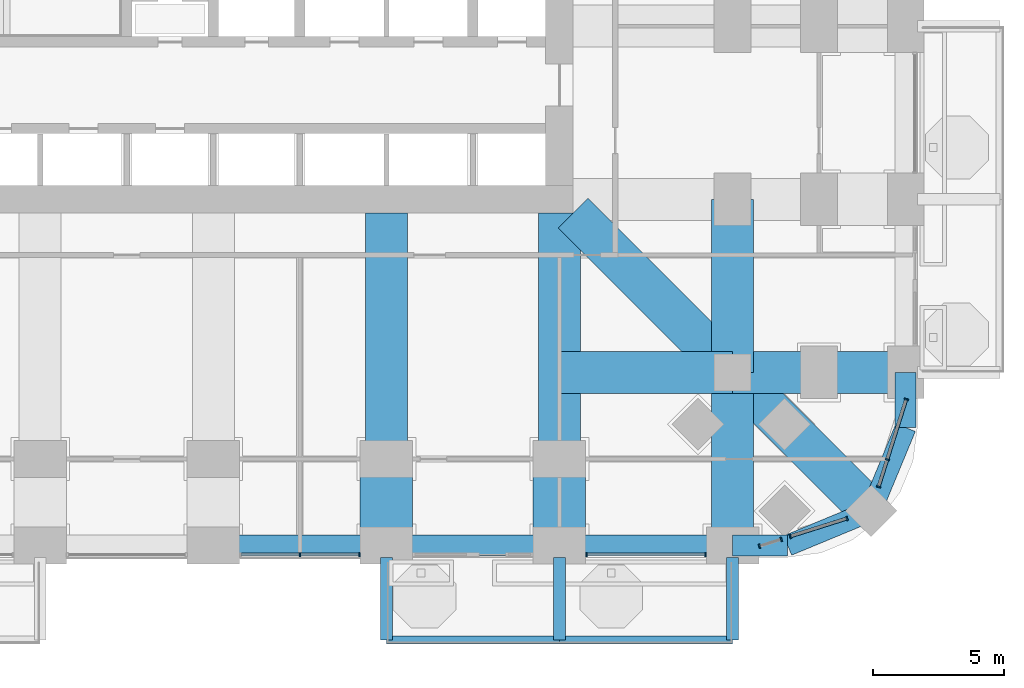
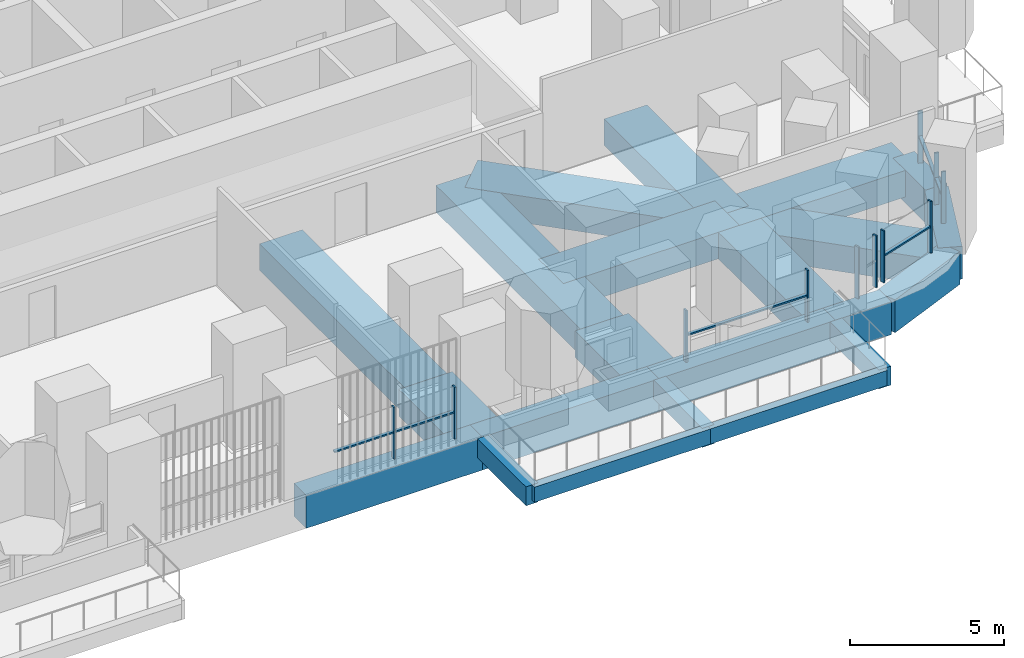
# One storey, part 5 of 27: 22 beams, 17 members, 5 elements without a shape of their own.
"""IFC4 building model written with IfcOpenShell, lengths in metres."""

from ifc_helpers import new_model, si_unit, direction, frame, origin, origin_2d, place, context, subcontext, project, spatial, rectangle, extrude, material, material_profile, profile_set, type_object, element, aggregate, save


model = new_model("IFC4")

# Units and contexts
model_context = context("Model", 3, precision=1e-05, world=origin(), true_north=direction((0.0, 1.0)))
body_context = subcontext(model_context, "Body", "Model", "MODEL_VIEW")
ifc_project = project(units=[si_unit("LENGTHUNIT", "METRE"), si_unit("AREAUNIT", "SQUARE_METRE"), si_unit("VOLUMEUNIT", "CUBIC_METRE"), si_unit("PLANEANGLEUNIT", "RADIAN"), si_unit("MASSUNIT", "GRAM", prefix="KILO")], contexts=[model_context])

# Site, building, storey
site_placement = place(None, origin())
site = spatial("IfcSite", under=ifc_project, at=site_placement, CompositionType="ELEMENT")
building_placement = place(site_placement, origin())
building = spatial("IfcBuilding", under=site, at=building_placement, Name="Cobogo Forest Laboratory Tower", CompositionType="ELEMENT")
storey_placement = place(building_placement, frame((0.0, 0.0, 71.699951171875)))
storey = spatial("IfcBuildingStorey", under=building, at=storey_placement, Name="L16", CompositionType="ELEMENT", Elevation=71.699951171875)

# Beams
ifc_material_1 = material(Name="Concrete HA-40 (C40/50)", Category="concrete")
ifc_material_profile_1 = material_profile(ifc_material_1, rectangle(XDim=0.449951171875, YDim=0.75, at=origin_2d()), Name="RC 450x750")
ifc_profile_set_1 = profile_set([ifc_material_profile_1], Name="Concrete HA-40 (C40/50)")
beam_type_1 = type_object("IfcBeamType", Name="Balcony cantilever beam 450x750", PredefinedType="BEAM", material=ifc_profile_set_1)
for number, where, z_axis, x_axis, name in (
    (1, (33.0, -0.449951171875, -0.625), (0.0, -1.0, 0.0), (1.0, 0.0, 0.0), "CB1 BAL-S2-C1 L16"),
    (2, (39.60009765625, -0.449951171875, -0.625), (0.0, -1.0, 0.0), (1.0, 0.0, 0.0), "CB1 BAL-S2-C2 L16"),
    (3, (46.199951171875, -0.449951171875, -0.625), (0.0, -1.0, 0.0), (1.0, 0.0, 0.0), "CB1 BAL-S2-C3 L16"),
):
    element("IfcBeam", number, at=place(storey_placement, frame(where, z_axis=z_axis, x_axis=x_axis)), inside=storey, type_object=beam_type_1, Name=name, PredefinedType="BEAM", context=body_context, shape_type="SweptSolid", body=[
        extrude(rectangle(XDim=0.449951171875, YDim=0.75, at=origin_2d()), origin(), (0.0, 0.0, 1.0), 3.150146484375),
    ])
ifc_material_profile_2 = material_profile(ifc_material_1, rectangle(XDim=0.300048828125, YDim=0.60009765625, at=origin_2d()), Name="RC 300x600")
ifc_profile_set_2 = profile_set([ifc_material_profile_2], Name="Concrete HA-40 (C40/50)")
beam_type_2 = type_object("IfcBeamType", Name="Balcony edge beam 300x600", PredefinedType="BEAM", material=ifc_profile_set_2)
beam_1_placement = place(storey_placement, frame((33.0, -3.60009765625, -0.550048828125), z_axis=(1.0, 0.0, 0.0), x_axis=(0.0, 1.0, 0.0)))
element("IfcBeam", 4, at=beam_1_placement, inside=storey, type_object=beam_type_2, Name="BB1 BAL-S2-T1 L16", PredefinedType="BEAM", context=body_context, shape_type="SweptSolid", body=[
    extrude(rectangle(XDim=0.300048828125, YDim=0.60009765625, at=origin_2d()), origin(), (0.0, 0.0, 1.0), 6.60009765625),
])
beam_2_placement = place(storey_placement, frame((39.60009765625, -3.60009765625, -0.550048828125), z_axis=(1.0, 0.0, 0.0), x_axis=(0.0, 1.0, 0.0)))
element("IfcBeam", 5, at=beam_2_placement, inside=storey, type_object=beam_type_2, Name="BB1 BAL-S2-T2 L16", PredefinedType="BEAM", context=body_context, shape_type="SweptSolid", body=[
    extrude(rectangle(XDim=0.300048828125, YDim=0.60009765625, at=origin_2d()), origin(), (0.0, 0.0, 1.0), 6.599853515625),
])
ifc_material_2 = material(Name="Concrete HA-50 (C50/60)", Category="concrete")
ifc_material_profile_3 = material_profile(ifc_material_2, rectangle(XDim=2.0, YDim=1.050048828125, at=origin_2d()), Name="RC 2000x1050")
ifc_profile_set_3 = profile_set([ifc_material_profile_3], Name="Concrete HA-50 (C50/60)")
beam_type_3 = type_object("IfcBeamType", Name="End-bay wide beam 2000x1050", PredefinedType="BEAM", material=ifc_profile_set_3)
for number, where, z_axis, x_axis, name in (
    (6, (33.0, 0.0, -0.824951171875), (0.0, 1.0, 0.0), (-1.0, 0.0, 0.0), "RB7 R-6-S-X L16"),
    (7, (39.60009765625, 0.0, -0.824951171875), (0.0, 1.0, 0.0), (-1.0, 0.0, 0.0), "RB7 R-7-S-X L16"),
):
    element("IfcBeam", number, at=place(storey_placement, frame(where, z_axis=z_axis, x_axis=x_axis)), inside=storey, type_object=beam_type_3, Name=name, PredefinedType="BEAM", context=body_context, shape_type="SweptSolid", body=[
        extrude(rectangle(XDim=2.0, YDim=1.050048828125, at=origin_2d()), origin(), (0.0, 0.0, 1.0), 3.300048828125),
    ])
ifc_material_profile_4 = material_profile(ifc_material_2, rectangle(XDim=1.60009765625, YDim=1.050048828125, at=origin_2d()), Name="RC 1600x1050")
ifc_profile_set_4 = profile_set([ifc_material_profile_4], Name="Concrete HA-50 (C50/60)")
beam_type_4 = type_object("IfcBeamType", Name="Laboratory floor wide beam 1600x1050", PredefinedType="BEAM", material=ifc_profile_set_4)
for number, where, z_axis, x_axis, name in (
    (8, (33.0, 12.675048828125, -0.824951171875), (0.0, -1.0, 0.0), (1.0, 0.0, 0.0), "RB8 R-6-S L16"),
    (9, (39.60009765625, 12.675048828125, -0.824951171875), (0.0, -1.0, 0.0), (1.0, 0.0, 0.0), "RB8 R-7-S L16"),
):
    element("IfcBeam", number, at=place(storey_placement, frame(where, z_axis=z_axis, x_axis=x_axis)), inside=storey, type_object=beam_type_4, Name=name, PredefinedType="BEAM", context=body_context, shape_type="SweptSolid", body=[
        extrude(rectangle(XDim=1.60009765625, YDim=1.050048828125, at=origin_2d()), origin(), (0.0, 0.0, 1.0), 9.375),
    ])
beam_3_placement = place(storey_placement, frame((46.199951171875, 0.0, -0.824951171875), z_axis=(0.0, 1.0, 0.0), x_axis=(-1.0, 0.0, 0.0)))
element("IfcBeam", 10, at=beam_3_placement, inside=storey, type_object=beam_type_4, Name="RB8 G-SE-XF L16", PredefinedType="BEAM", context=body_context, shape_type="SweptSolid", body=[
    extrude(rectangle(XDim=1.60009765625, YDim=1.050048828125, at=origin_2d()), origin(), (0.0, 0.0, 1.0), 6.60009765625),
])
beam_4_placement = place(storey_placement, frame((46.199951171875, 6.60009765625, -0.824951171875), z_axis=(0.0, 1.0, 0.0), x_axis=(-1.0, 0.0, 0.0)))
element("IfcBeam", 11, at=beam_4_placement, inside=storey, type_object=beam_type_4, Name="RB8 G-SE-XC L16", PredefinedType="BEAM", context=body_context, shape_type="SweptSolid", body=[
    extrude(rectangle(XDim=1.60009765625, YDim=1.050048828125, at=origin_2d()), origin(), (0.0, 0.0, 1.0), 6.599853515625),
])
beam_5_placement = place(storey_placement, frame((52.800048828125, 6.60009765625, -0.824951171875), z_axis=(-1.0, 0.0, 0.0), x_axis=(0.0, -1.0, 0.0)))
element("IfcBeam", 12, at=beam_5_placement, inside=storey, type_object=beam_type_4, Name="RB8 G-SE-YF L16", PredefinedType="BEAM", context=body_context, shape_type="SweptSolid", body=[
    extrude(rectangle(XDim=1.60009765625, YDim=1.050048828125, at=origin_2d()), origin(), (0.0, 0.0, 1.0), 6.60009765625),
])
beam_6_placement = place(storey_placement, frame((46.199951171875, 6.60009765625, -0.824951171875), z_axis=(-1.0, 0.0, 0.0), x_axis=(0.0, -1.0, 0.0)))
element("IfcBeam", 13, at=beam_6_placement, inside=storey, type_object=beam_type_4, Name="RB8 G-SE-YC L16", PredefinedType="BEAM", context=body_context, shape_type="SweptSolid", body=[
    extrude(rectangle(XDim=1.60009765625, YDim=1.050048828125, at=origin_2d()), origin(), (0.0, 0.0, 1.0), 6.599853515625),
])
beam_7_placement = place(storey_placement, frame((51.48193359375, 1.318115234375, -0.824951171875), z_axis=(-0.707106781187, 0.707106781187, 0.0), x_axis=(-0.707106781187, -0.707106781187, 0.0)))
element("IfcBeam", 14, at=beam_7_placement, inside=storey, type_object=beam_type_4, Name="RB8 G-SE-D1 L16", PredefinedType="BEAM", context=body_context, shape_type="SweptSolid", body=[
    extrude(rectangle(XDim=1.60009765625, YDim=1.050048828125, at=origin_2d()), origin(), (0.0, 0.0, 1.0), 7.469970703125),
])
beam_8_placement = place(storey_placement, frame((46.199951171875, 6.60009765625, -0.824951171875), z_axis=(-0.707106781187, 0.707106781187, 0.0), x_axis=(-0.707106781187, -0.707106781187, 0.0)))
element("IfcBeam", 15, at=beam_8_placement, inside=storey, type_object=beam_type_4, Name="RB8 G-SE-D2 L16", PredefinedType="BEAM", context=body_context, shape_type="SweptSolid", body=[
    extrude(rectangle(XDim=1.60009765625, YDim=1.050048828125, at=origin_2d()), origin(), (0.0, 0.0, 1.0), 8.59130859375),
])

# Curtain wall, members
ifc_material_3 = material(Name="Aluminium curtain wall", Category="aluminium")
curtain_wall_type = type_object("IfcCurtainWallType", Name="CW-1 unitised curtain wall, clear glazing, laboratory floors zones A and B", PredefinedType="USERDEFINED", material=ifc_material_3)
curtain_wall_1_placement = place(storey_placement, origin())
curtain_wall_1 = element("IfcCurtainWall", 16, at=curtain_wall_1_placement, inside=storey, type_object=curtain_wall_type, Name="Curtain wall 04 L16", ObjectType="UNITISED CURTAIN WALL", PredefinedType="USERDEFINED")
ifc_material_4 = material(Name="Aluminium mullion", Category="aluminium")
ifc_material_profile_5 = material_profile(ifc_material_4, rectangle(XDim=0.06005859375, YDim=0.159912109375, at=origin_2d()), Name="AL 60x160")
ifc_profile_set_5 = profile_set([ifc_material_profile_5], Name="Aluminium mullion")
member_type_1 = type_object("IfcMemberType", Name="MU-1 aluminium mullion 60x160", PredefinedType="MULLION", material=ifc_profile_set_5)
member_1_placement = place(storey_placement, frame((29.699951171875, -0.35009765625, 0.0), z_axis=(0.0, 0.0, 1.0), x_axis=(1.0, 0.0, 0.0)))
member_1 = element("IfcMember", 17, at=member_1_placement, type_object=member_type_1, Name="CW-1 mullion 2", PredefinedType="MULLION", context=body_context, shape_type="SweptSolid", body=[
    extrude(rectangle(XDim=0.06005859375, YDim=0.159912109375, at=origin_2d()), origin(), (0.0, 0.0, 1.0), 2.050048828125),
])
member_2_placement = place(storey_placement, frame((31.969970703125, -0.35009765625, 0.0), z_axis=(0.0, 0.0, 1.0), x_axis=(1.0, 0.0, 0.0)))
member_2 = element("IfcMember", 18, at=member_2_placement, type_object=member_type_1, Name="CW-1 mullion 3", PredefinedType="MULLION", context=body_context, shape_type="SweptSolid", body=[
    extrude(rectangle(XDim=0.06005859375, YDim=0.159912109375, at=origin_2d()), origin(), (0.0, 0.0, 1.0), 2.050048828125),
])

curtain_wall_2_placement = place(storey_placement, origin())
curtain_wall_2 = element("IfcCurtainWall", 19, at=curtain_wall_2_placement, inside=storey, type_object=curtain_wall_type, Name="Curtain wall 06 L16", ObjectType="UNITISED CURTAIN WALL", PredefinedType="USERDEFINED")
member_3_placement = place(storey_placement, frame((40.6298828125, -0.35009765625, 0.0), z_axis=(0.0, 0.0, 1.0), x_axis=(1.0, 0.0, 0.0)))
member_3 = element("IfcMember", 20, at=member_3_placement, type_object=member_type_1, Name="CW-1 mullion 1", PredefinedType="MULLION", context=body_context, shape_type="SweptSolid", body=[
    extrude(rectangle(XDim=0.06005859375, YDim=0.159912109375, at=origin_2d()), origin(), (0.0, 0.0, 1.0), 2.050048828125),
])
member_4_placement = place(storey_placement, frame((45.169921875, -0.35009765625, 0.0), z_axis=(0.0, 0.0, 1.0), x_axis=(1.0, 0.0, 0.0)))
member_4 = element("IfcMember", 21, at=member_4_placement, type_object=member_type_1, Name="CW-1 mullion 2", PredefinedType="MULLION", context=body_context, shape_type="SweptSolid", body=[
    extrude(rectangle(XDim=0.06005859375, YDim=0.159912109375, at=origin_2d()), origin(), (0.0, 0.0, 1.0), 2.050048828125),
])

curtain_wall_3_placement = place(storey_placement, origin())
curtain_wall_3 = element("IfcCurtainWall", 22, at=curtain_wall_3_placement, inside=storey, type_object=curtain_wall_type, Name="Curtain wall 07 L16", ObjectType="UNITISED CURTAIN WALL", PredefinedType="USERDEFINED")
member_5_placement = place(storey_placement, frame((47.228515625, -0.025146484375, 0.0), z_axis=(0.0, 0.0, 1.0), x_axis=(0.953581406818, 0.301135352577, 0.0)))
member_5 = element("IfcMember", 23, at=member_5_placement, type_object=member_type_1, Name="CW-1 mullion 1", PredefinedType="MULLION", context=body_context, shape_type="SweptSolid", body=[
    extrude(rectangle(XDim=0.06005859375, YDim=0.159912109375, at=origin_2d()), origin(), (0.0, 0.0, 1.0), 2.050048828125),
])
member_6_placement = place(storey_placement, frame((48.05322265625, 0.2353515625, 0.0), z_axis=(0.0, 0.0, 1.0), x_axis=(0.953581406818, 0.301135352577, 0.0)))
member_6 = element("IfcMember", 24, at=member_6_placement, type_object=member_type_1, Name="CW-1 mullion 2", PredefinedType="MULLION", context=body_context, shape_type="SweptSolid", body=[
    extrude(rectangle(XDim=0.06005859375, YDim=0.159912109375, at=origin_2d()), origin(), (0.0, 0.0, 1.0), 2.050048828125),
])
aggregate(curtain_wall_3, [member_5, member_6])

curtain_wall_4_placement = place(storey_placement, origin())
curtain_wall_4 = element("IfcCurtainWall", 25, at=curtain_wall_4_placement, inside=storey, type_object=curtain_wall_type, Name="Curtain wall 08 L16", ObjectType="UNITISED CURTAIN WALL", PredefinedType="USERDEFINED")
member_7_placement = place(storey_placement, frame((48.403076171875, 0.345703125, 0.0), z_axis=(0.0, 0.0, 1.0), x_axis=(0.953581409645, 0.301135343623, 0.0)))
member_7 = element("IfcMember", 26, at=member_7_placement, type_object=member_type_1, Name="CW-1 mullion 1", PredefinedType="MULLION", context=body_context, shape_type="SweptSolid", body=[
    extrude(rectangle(XDim=0.06005859375, YDim=0.159912109375, at=origin_2d()), origin(), (0.0, 0.0, 1.0), 2.050048828125),
])
member_8_placement = place(storey_placement, frame((50.561279296875, 1.02734375, 0.0), z_axis=(0.0, 0.0, 1.0), x_axis=(0.953581409645, 0.301135343623, 0.0)))
member_8 = element("IfcMember", 27, at=member_8_placement, type_object=member_type_1, Name="CW-1 mullion 2", PredefinedType="MULLION", context=body_context, shape_type="SweptSolid", body=[
    extrude(rectangle(XDim=0.06005859375, YDim=0.159912109375, at=origin_2d()), origin(), (0.0, 0.0, 1.0), 2.050048828125),
])

curtain_wall_5_placement = place(storey_placement, origin())
curtain_wall_5 = element("IfcCurtainWall", 28, at=curtain_wall_5_placement, inside=storey, type_object=curtain_wall_type, Name="Curtain wall 09 L16", ObjectType="UNITISED CURTAIN WALL", PredefinedType="USERDEFINED")
member_9_placement = place(storey_placement, frame((51.772705078125, 2.23876953125, 0.0), z_axis=(0.0, 0.0, 1.0), x_axis=(0.301135433696, 0.953581381201, 0.0)))
member_9 = element("IfcMember", 29, at=member_9_placement, type_object=member_type_1, Name="CW-1 mullion 1", PredefinedType="MULLION", context=body_context, shape_type="SweptSolid", body=[
    extrude(rectangle(XDim=0.06005859375, YDim=0.159912109375, at=origin_2d()), origin(), (0.0, 0.0, 1.0), 2.050048828125),
])
member_10_placement = place(storey_placement, frame((52.100341796875, 3.27587890625, 0.0), z_axis=(0.0, 0.0, 1.0), x_axis=(0.301135433696, 0.953581381201, 0.0)))
member_10 = element("IfcMember", 30, at=member_10_placement, type_object=member_type_1, Name="CW-1 mullion 2", PredefinedType="MULLION", context=body_context, shape_type="SweptSolid", body=[
    extrude(rectangle(XDim=0.06005859375, YDim=0.159912109375, at=origin_2d()), origin(), (0.0, 0.0, 1.0), 2.050048828125),
])
member_11_placement = place(storey_placement, frame((52.8251953125, 5.5712890625, 0.0), z_axis=(0.0, 0.0, 1.0), x_axis=(0.301135433696, 0.953581381201, 0.0)))
member_11 = element("IfcMember", 31, at=member_11_placement, type_object=member_type_1, Name="CW-1 mullion 3", PredefinedType="MULLION", context=body_context, shape_type="SweptSolid", body=[
    extrude(rectangle(XDim=0.06005859375, YDim=0.159912109375, at=origin_2d()), origin(), (0.0, 0.0, 1.0), 2.050048828125),
])

# Beams
ifc_material_profile_6 = material_profile(ifc_material_1, rectangle(XDim=0.800048828125, YDim=1.300048828125, at=origin_2d()), Name="RC 800x1300")
ifc_profile_set_6 = profile_set([ifc_material_profile_6], Name="Concrete HA-40 (C40/50)")
beam_type_5 = type_object("IfcBeamType", Name="Perimeter edge beam 800x1300", PredefinedType="BEAM", material=ifc_profile_set_6)
for number, where, z_axis, x_axis, name in (
    (32, (26.39990234375, 0.0, -0.949951171875), (1.0, 0.0, 0.0), (0.0, 1.0, 0.0), "EB2 E-S4 L16"),
    (33, (33.0, 0.0, -0.949951171875), (1.0, 0.0, 0.0), (0.0, 1.0, 0.0), "EB2 E-S5 L16"),
):
    element("IfcBeam", number, at=place(storey_placement, frame(where, z_axis=z_axis, x_axis=x_axis)), inside=storey, type_object=beam_type_5, Name=name, PredefinedType="BEAM", context=body_context, shape_type="SweptSolid", body=[
        extrude(rectangle(XDim=0.800048828125, YDim=1.300048828125, at=origin_2d()), origin(), (0.0, 0.0, 1.0), 6.60009765625),
    ])
beam_9_placement = place(storey_placement, frame((39.60009765625, 0.0, -0.949951171875), z_axis=(1.0, 0.0, 0.0), x_axis=(0.0, 1.0, 0.0)))
element("IfcBeam", 34, at=beam_9_placement, inside=storey, type_object=beam_type_5, Name="EB2 E-S6 L16", PredefinedType="BEAM", context=body_context, shape_type="SweptSolid", body=[
    extrude(rectangle(XDim=0.800048828125, YDim=1.300048828125, at=origin_2d()), origin(), (0.0, 0.0, 1.0), 6.599853515625),
])
beam_10_placement = place(storey_placement, frame((46.199951171875, 0.0, -0.949951171875), z_axis=(1.0, 0.0, 0.0), x_axis=(0.0, 1.0, 0.0)))
element("IfcBeam", 35, at=beam_10_placement, inside=storey, type_object=beam_type_5, Name="EB2 E-SES1 L16", PredefinedType="BEAM", context=body_context, shape_type="SweptSolid", body=[
    extrude(rectangle(XDim=0.800048828125, YDim=1.300048828125, at=origin_2d()), origin(), (0.0, 0.0, 1.0), 2.10009765625),
])
beam_11_placement = place(storey_placement, frame((48.300048828125, 0.0, -0.949951171875), z_axis=(0.923865631356, 0.382716990999, 0.0), x_axis=(-0.382716990999, 0.923865631356, 0.0)))
element("IfcBeam", 36, at=beam_11_placement, inside=storey, type_object=beam_type_5, Name="EB2 E-SES2 L16", PredefinedType="BEAM", context=body_context, shape_type="SweptSolid", body=[
    extrude(rectangle(XDim=0.800048828125, YDim=1.300048828125, at=origin_2d()), origin(), (0.0, 0.0, 1.0), 3.444091796875),
])
beam_12_placement = place(storey_placement, frame((52.800048828125, 6.60009765625, -0.949951171875), z_axis=(0.0, -1.0, 0.0), x_axis=(1.0, 0.0, 0.0)))
element("IfcBeam", 37, at=beam_12_placement, inside=storey, type_object=beam_type_5, Name="EB2 E-SEE1 L16", PredefinedType="BEAM", context=body_context, shape_type="SweptSolid", body=[
    extrude(rectangle(XDim=0.800048828125, YDim=1.300048828125, at=origin_2d()), origin(), (0.0, 0.0, 1.0), 2.10009765625),
])
beam_13_placement = place(storey_placement, frame((52.800048828125, 4.5, -0.949951171875), z_axis=(-0.382716990999, -0.923865631356, 0.0), x_axis=(0.923865631356, -0.382716990999, 0.0)))
element("IfcBeam", 38, at=beam_13_placement, inside=storey, type_object=beam_type_5, Name="EB2 E-SEE2 L16", PredefinedType="BEAM", context=body_context, shape_type="SweptSolid", body=[
    extrude(rectangle(XDim=0.800048828125, YDim=1.300048828125, at=origin_2d()), origin(), (0.0, 0.0, 1.0), 3.444091796875),
])

# Member
ifc_material_5 = material(Name="Aluminium transom", Category="aluminium")
ifc_material_profile_7 = material_profile(ifc_material_5, rectangle(XDim=0.1201171875, YDim=0.06005859375, at=origin_2d()), Name="AL 60x120")
ifc_profile_set_7 = profile_set([ifc_material_profile_7], Name="Aluminium transom")
member_type_2 = type_object("IfcMemberType", Name="TR-1 aluminium transom 60x120", PredefinedType="USERDEFINED", material=ifc_profile_set_7)
member_12_placement = place(storey_placement, frame((27.4599609375, -0.35009765625, 1.050048828125), z_axis=(1.0, 0.0, 0.0), x_axis=(0.0, 1.0, 0.0)))
member_12 = element("IfcMember", 39, at=member_12_placement, type_object=member_type_2, Name="CW-1 transom 1.1", ObjectType="TRANSOM", PredefinedType="USERDEFINED", context=body_context, shape_type="SweptSolid", body=[
    extrude(rectangle(XDim=0.1201171875, YDim=0.06005859375, at=origin_2d()), origin(), (0.0, 0.0, 1.0), 2.2099609375),
])

member_13_placement = place(storey_placement, frame((29.72998046875, -0.35009765625, 1.050048828125), z_axis=(1.0, 0.0, 0.0), x_axis=(0.0, 1.0, 0.0)))
member_13 = element("IfcMember", 40, at=member_13_placement, type_object=member_type_2, Name="CW-1 transom 2.1", ObjectType="TRANSOM", PredefinedType="USERDEFINED", context=body_context, shape_type="SweptSolid", body=[
    extrude(rectangle(XDim=0.1201171875, YDim=0.06005859375, at=origin_2d()), origin(), (0.0, 0.0, 1.0), 2.2099609375),
])

aggregate(curtain_wall_1, [member_1, member_2, member_12, member_13])

member_14_placement = place(storey_placement, frame((40.659912109375, -0.35009765625, 1.050048828125), z_axis=(1.0, 0.0, 0.0), x_axis=(0.0, 1.0, 0.0)))
member_14 = element("IfcMember", 41, at=member_14_placement, type_object=member_type_2, Name="CW-1 transom 1.1", ObjectType="TRANSOM", PredefinedType="USERDEFINED", context=body_context, shape_type="SweptSolid", body=[
    extrude(rectangle(XDim=0.1201171875, YDim=0.06005859375, at=origin_2d()), origin(), (0.0, 0.0, 1.0), 4.47998046875),
])

aggregate(curtain_wall_2, [member_3, member_4, member_14])

member_15_placement = place(storey_placement, frame((48.431640625, 0.354736328125, 1.050048828125), z_axis=(0.953572616955, 0.301163185322, 0.0), x_axis=(-0.301163185322, 0.953572616955, 0.0)))
member_15 = element("IfcMember", 42, at=member_15_placement, type_object=member_type_2, Name="CW-1 transom 1.1", ObjectType="TRANSOM", PredefinedType="USERDEFINED", context=body_context, shape_type="SweptSolid", body=[
    extrude(rectangle(XDim=0.1201171875, YDim=0.06005859375, at=origin_2d()), origin(), (0.0, 0.0, 1.0), 2.203369140625),
])

aggregate(curtain_wall_4, [member_7, member_8, member_15])

member_16_placement = place(storey_placement, frame((51.78173828125, 2.267333984375, 1.050048828125), z_axis=(0.301222320394, 0.953553938535, 0.0), x_axis=(-0.953553938535, 0.301222320394, 0.0)))
member_16 = element("IfcMember", 43, at=member_16_placement, type_object=member_type_2, Name="CW-1 transom 1.1", ObjectType="TRANSOM", PredefinedType="USERDEFINED", context=body_context, shape_type="SweptSolid", body=[
    extrude(rectangle(XDim=0.1201171875, YDim=0.06005859375, at=origin_2d()), origin(), (0.0, 0.0, 1.0), 1.02783203125),
])

member_17_placement = place(storey_placement, frame((52.109375, 3.304443359375, 1.050048828125), z_axis=(0.301116434103, 0.953587380953, 0.0), x_axis=(-0.953587380953, 0.301116434103, 0.0)))
member_17 = element("IfcMember", 44, at=member_17_placement, type_object=member_type_2, Name="CW-1 transom 2.1", ObjectType="TRANSOM", PredefinedType="USERDEFINED", context=body_context, shape_type="SweptSolid", body=[
    extrude(rectangle(XDim=0.1201171875, YDim=0.06005859375, at=origin_2d()), origin(), (0.0, 0.0, 1.0), 2.34716796875),
])

aggregate(curtain_wall_5, [member_9, member_10, member_11, member_16, member_17])

save(model, "model.ifc")
